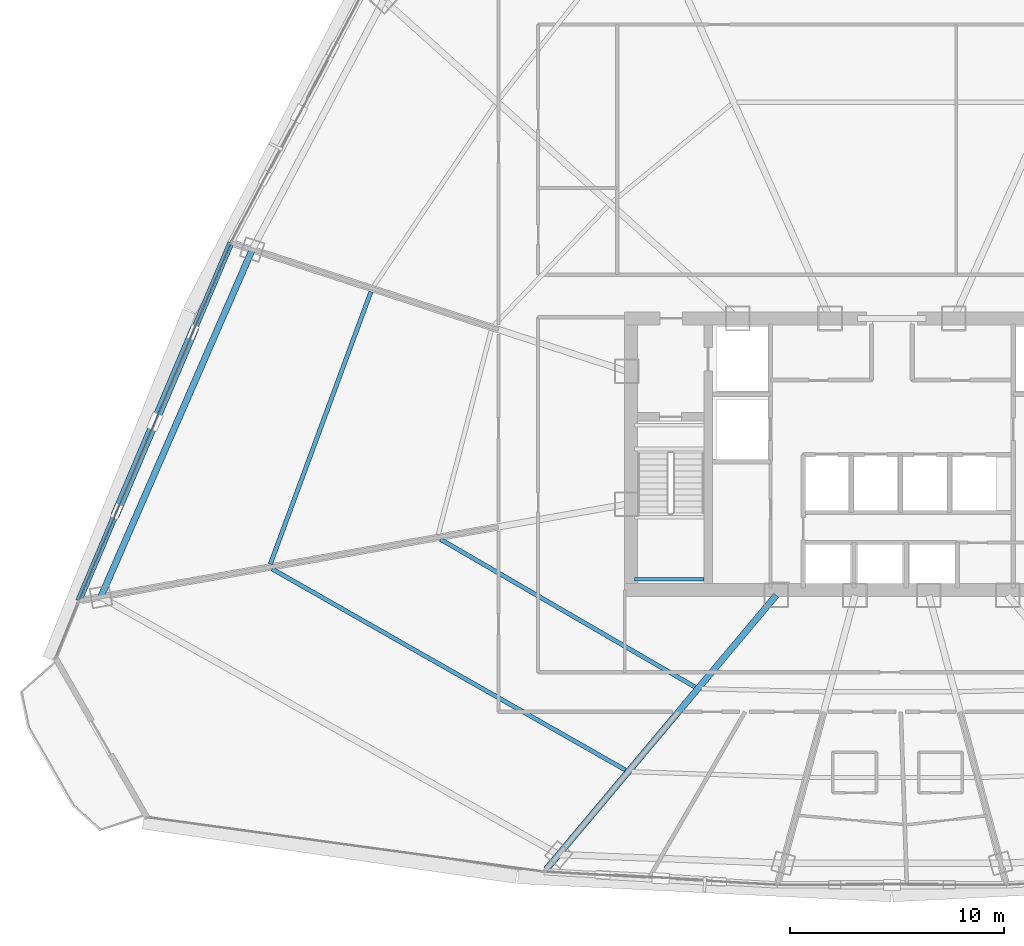
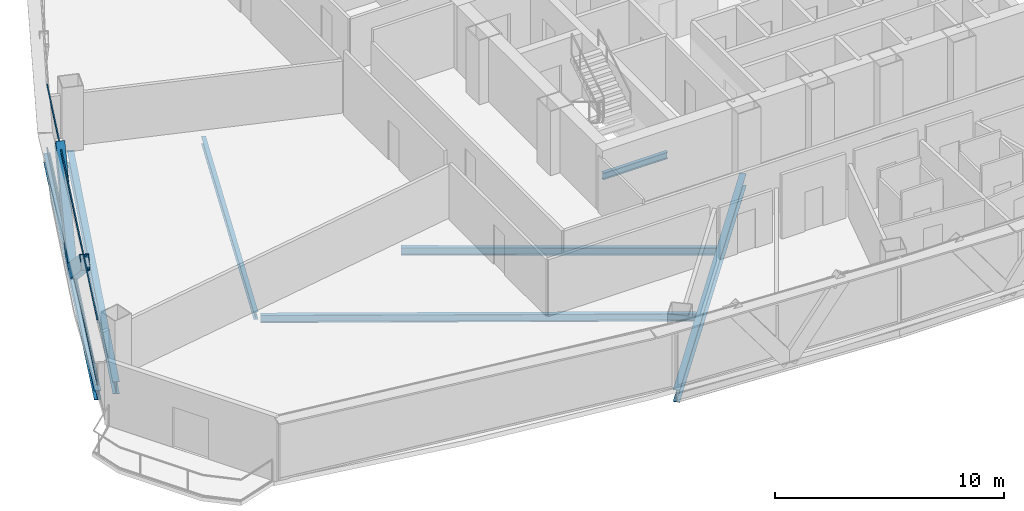
# One storey, part 7 of 39: 7 beams, 4 members, 1 element without a shape of its own.
"""IFC4 building model written with IfcOpenShell, lengths in metres."""

from ifc_helpers import new_model, si_unit, direction, frame, origin, origin_2d, place, context, subcontext, project, spatial, hollow_rectangle, i_section, extrude, source, transform, mapped, material, layer, layer_set, material_profile, profile_set, type_object, element, aggregate, save


model = new_model("IFC4")

# Units and contexts
model_context = context("Model", 3, precision=1e-05, world=origin(), true_north=direction((0.0, 1.0)))
body_context = subcontext(model_context, "Body", "Model", "MODEL_VIEW")
ifc_project = project(units=[si_unit("LENGTHUNIT", "METRE"), si_unit("AREAUNIT", "SQUARE_METRE"), si_unit("VOLUMEUNIT", "CUBIC_METRE"), si_unit("PLANEANGLEUNIT", "RADIAN"), si_unit("MASSUNIT", "GRAM", prefix="KILO"), si_unit("THERMODYNAMICTEMPERATUREUNIT", "KELVIN"), si_unit("POWERUNIT", "WATT")], contexts=[model_context])

# Site, building, storey
site_placement = place(None, origin())
site = spatial("IfcSite", under=ifc_project, at=site_placement, CompositionType="ELEMENT")
building_placement = place(site_placement, origin())
building = spatial("IfcBuilding", under=site, at=building_placement, Name="Yunzhuo Pagoda Commons", CompositionType="ELEMENT")
storey_placement = place(building_placement, frame((0.0, 0.0, 166.6298828125)))
storey = spatial("IfcBuildingStorey", under=building, at=storey_placement, Name="L42", CompositionType="ELEMENT", Elevation=166.6298828125)

# Beams
ifc_material_1 = material(Name="Structural steel Q355B", Category="steel")
ifc_material_profile_1 = material_profile(ifc_material_1, i_section(OverallWidth=0.175048828125, OverallDepth=0.35009765625, WebThickness=0.007080078125, FlangeThickness=0.010986328125, at=origin_2d()), Name="Structural steel Q355B")
ifc_profile_set_1 = profile_set([ifc_material_profile_1], Name="Structural steel Q355B")
beam_type_1 = type_object("IfcBeamType", Name="B-JS2 Joist HN 350x175x7x11", PredefinedType="JOIST", material=ifc_profile_set_1)
shared_shape_1 = source(origin(), body_context, "Body", "SweptSolid", [
    extrude(i_section(OverallWidth=0.175048828125, OverallDepth=0.35009765625, WebThickness=0.007080078125, FlangeThickness=0.010986328125, at=origin_2d()), origin(), (0.0, 0.0, 1.0), 3.25),
])
beam_1_placement = place(storey_placement, frame((35.949951171875, 28.0, 1.465087890625), z_axis=(1.0, 0.0, 0.0), x_axis=(0.0, 1.0, 0.0)))
element("IfcBeam", 1, at=beam_1_placement, inside=storey, type_object=beam_type_1, Name="L42 ST1 landing support beam 48A", PredefinedType="JOIST", context=body_context, shape_type="MappedRepresentation", body=[
    mapped(shared_shape_1, transform((0.0, 0.0, 0.0), scale=1.0)),
])
ifc_material_profile_2 = material_profile(ifc_material_1, i_section(OverallWidth=0.199951171875, OverallDepth=0.39990234375, WebThickness=0.008056640625, FlangeThickness=0.012939453125, at=origin_2d()), Name="Structural steel Q355B")
ifc_profile_set_2 = profile_set([ifc_material_profile_2], Name="Structural steel Q355B")
beam_type_2 = type_object("IfcBeamType", Name="B-JS1 Joist HN 400x200x8x13", PredefinedType="JOIST", material=ifc_profile_set_2)
shared_shape_2 = source(origin(), body_context, "Body", "SweptSolid", [
    extrude(i_section(OverallWidth=0.199951171875, OverallDepth=0.39990234375, WebThickness=0.008056640625, FlangeThickness=0.012939453125, at=origin_2d()), origin(), (0.0, 0.0, 1.0), 13.76416015625),
])
beam_2_placement = place(storey_placement, frame((26.882568359375, 29.87255859375, -0.4599609375), z_axis=(0.864967288101, -0.501828248025, 0.0), x_axis=(0.501828248025, 0.864967288101, 0.0)))
element("IfcBeam", 2, at=beam_2_placement, inside=storey, type_object=beam_type_2, Name="L42 composite ring joist 1.12", PredefinedType="JOIST", context=body_context, shape_type="MappedRepresentation", body=[
    mapped(shared_shape_2, transform((0.0, 0.0, 0.0), scale=1.0)),
])
shared_shape_3 = source(origin(), body_context, "Body", "SweptSolid", [
    extrude(i_section(OverallWidth=0.199951171875, OverallDepth=0.39990234375, WebThickness=0.008056640625, FlangeThickness=0.012939453125, at=origin_2d()), origin(), (0.0, 0.0, 1.0), 19.007568359375),
])
beam_3_placement = place(storey_placement, frame((19.01220703125, 28.485595703125, -0.4599609375), z_axis=(0.869119947472, -0.494601371718, 0.0), x_axis=(0.494601371718, 0.869119947472, 0.0)))
element("IfcBeam", 3, at=beam_3_placement, inside=storey, type_object=beam_type_2, Name="L42 composite ring joist 2.12", PredefinedType="JOIST", context=body_context, shape_type="MappedRepresentation", body=[
    mapped(shared_shape_3, transform((0.0, 0.0, 0.0), scale=1.0)),
])
ifc_material_profile_3 = material_profile(ifc_material_1, i_section(OverallWidth=0.300048828125, OverallDepth=0.64990234375, WebThickness=0.012939453125, FlangeThickness=0.02197265625, at=origin_2d()), Name="Structural steel Q355B")
ifc_profile_set_3 = profile_set([ifc_material_profile_3], Name="Structural steel Q355B")
beam_type_3 = type_object("IfcBeamType", Name="B-RG2 Beam HN 650x300x13x22", PredefinedType="BEAM", material=ifc_profile_set_3)
shared_shape_4 = source(origin(), body_context, "Body", "SweptSolid", [
    extrude(i_section(OverallWidth=0.300048828125, OverallDepth=0.64990234375, WebThickness=0.012939453125, FlangeThickness=0.02197265625, at=origin_2d()), origin(), (0.0, 0.0, 1.0), 17.72021484375),
])
beam_4_placement = place(storey_placement, frame((18.084716796875, 43.420166015625, -0.5849609375), z_axis=(-0.399643307961, -0.916670729544, 0.0), x_axis=(0.916670729544, -0.399643307961, 0.0)))
element("IfcBeam", 4, at=beam_4_placement, inside=storey, type_object=beam_type_3, Name="L42 column-ring beam 11", PredefinedType="BEAM", context=body_context, shape_type="MappedRepresentation", body=[
    mapped(shared_shape_4, transform((0.0, 0.0, 0.0), scale=1.0)),
])
shared_shape_5 = source(origin(), body_context, "Body", "SweptSolid", [
    extrude(i_section(OverallWidth=0.199951171875, OverallDepth=0.39990234375, WebThickness=0.008056640625, FlangeThickness=0.012939453125, at=origin_2d()), origin(), (0.0, 0.0, 1.0), 13.577880859375),
])
beam_5_placement = place(storey_placement, frame((23.634765625, 41.44970703125, -0.4599609375), z_axis=(-0.3465634723, -0.938026523968, 0.0), x_axis=(0.938026523968, -0.3465634723, 0.0)))
element("IfcBeam", 5, at=beam_5_placement, inside=storey, type_object=beam_type_2, Name="L42 composite ring joist 2.11", PredefinedType="JOIST", context=body_context, shape_type="MappedRepresentation", body=[
    mapped(shared_shape_5, transform((0.0, 0.0, 0.0), scale=1.0)),
])
shared_shape_6 = source(origin(), body_context, "Body", "SweptSolid", [
    extrude(i_section(OverallWidth=0.300048828125, OverallDepth=0.64990234375, WebThickness=0.012939453125, FlangeThickness=0.02197265625, at=origin_2d()), origin(), (0.0, 0.0, 1.0), 16.721435546875),
])
beam_6_placement = place(storey_placement, frame((31.839599609375, 14.440673828125, -0.5849609375), z_axis=(0.642787263979, 0.766044733202, 0.0), x_axis=(-0.766044733202, 0.642787263979, 0.0)))
element("IfcBeam", 6, at=beam_6_placement, inside=storey, type_object=beam_type_3, Name="L42 radial floor girder F1C1", PredefinedType="BEAM", context=body_context, shape_type="MappedRepresentation", body=[
    mapped(shared_shape_6, transform((0.0, 0.0, 0.0), scale=1.0)),
])
ifc_material_profile_4 = material_profile(ifc_material_1, i_section(OverallWidth=0.300048828125, OverallDepth=0.488037109375, WebThickness=0.010986328125, FlangeThickness=0.01806640625, at=origin_2d()), Name="Structural steel Q355B")
ifc_profile_set_4 = profile_set([ifc_material_profile_4], Name="Structural steel Q355B")
beam_type_4 = type_object("IfcBeamType", Name="B-SP1 Beam HM 488x300x11x18", PredefinedType="BEAM", material=ifc_profile_set_4)
shared_shape_7 = source(origin(), body_context, "Body", "SweptSolid", [
    extrude(i_section(OverallWidth=0.300048828125, OverallDepth=0.488037109375, WebThickness=0.010986328125, FlangeThickness=0.01806640625, at=origin_2d()), origin(), (0.0, 0.0, 1.0), 18.199951171875),
])
beam_7_placement = place(storey_placement, frame((17.086181640625, 43.74462890625, -0.50390625), z_axis=(-0.391069626014, -0.920361096314, 0.0), x_axis=(0.920361096314, -0.391069626014, 0.0)))
element("IfcBeam", 7, at=beam_7_placement, inside=storey, type_object=beam_type_4, Name="L42 facade edge spandrel beam F3.3", PredefinedType="BEAM", context=body_context, shape_type="MappedRepresentation", body=[
    mapped(shared_shape_7, transform((0.0, 0.0, 0.0), scale=1.0)),
])

# Members
ifc_material_profile_5 = material_profile(ifc_material_1, hollow_rectangle(XDim=0.39990234375, YDim=0.719970703125, WallThickness=0.02392578125, at=origin_2d()), Name="Structural steel Q355B")
ifc_profile_set_5 = profile_set([ifc_material_profile_5], Name="Structural steel Q355B")
member_type_1 = type_object("IfcMemberType", Name="M-DL2 Brace BOX 720x400x24", PredefinedType="BRACE", material=ifc_profile_set_5)
shared_shape_8 = source(origin(), body_context, "Body", "SweptSolid", [
    extrude(hollow_rectangle(XDim=0.39990234375, YDim=0.719970703125, WallThickness=0.02392578125, at=origin_2d()), origin(), (0.0, 0.0, 1.0), 5.851806640625),
])
for number, where, z_axis, x_axis, name in (
    (8, (13.52734375, 35.369384765625, -0.259765625), (0.304100338503, 0.715589107697, 0.628852298293), (-0.920342507507, 0.391113370873, 0.0), "L42 facade diamond brace F3.3L"),
    (9, (13.52734375, 35.369384765625, -0.259765625), (-0.304053397736, -0.715618541626, 0.628841501657), (0.920370027148, -0.391048607116, 0.0), "L42 facade diamond brace F3.3R"),
):
    element("IfcMember", number, at=place(storey_placement, frame(where, z_axis=z_axis, x_axis=x_axis)), inside=storey, type_object=member_type_1, Name=name, PredefinedType="BRACE", context=body_context, shape_type="MappedRepresentation", body=[
        mapped(shared_shape_8, transform((0.0, 0.0, 0.0), scale=1.0)),
    ])

# Curtain wall, members
ifc_material_2 = material(Name="Anodized aluminium 6063-T6", Category="aluminium")
ifc_layer = layer(ifc_material_2, 0.14990234375)
ifc_layer_set = layer_set([ifc_layer], Name="Anodized aluminium 6063-T6")
curtain_wall_type = type_object("IfcCurtainWallType", Name="CW-MID Mid-Zone Ribbon Curtain Wall", PredefinedType="NOTDEFINED", material=ifc_layer_set)
curtain_wall_placement = place(storey_placement, origin())
curtain_wall = element("IfcCurtainWall", 10, at=curtain_wall_placement, inside=storey, type_object=curtain_wall_type, Name="L42 curtain wall CW-L42-F3B4", PredefinedType="NOTDEFINED")
ifc_material_profile_6 = material_profile(ifc_material_2, hollow_rectangle(XDim=0.054931640625, YDim=0.1298828125, WallThickness=0.00341796875, at=origin_2d()), Name="Anodized aluminium 6063-T6")
ifc_profile_set_6 = profile_set([ifc_material_profile_6], Name="Anodized aluminium 6063-T6")
member_type_2 = type_object("IfcMemberType", Name="CW-MID-T Transom RHS 130x55x3.5", PredefinedType="USERDEFINED", material=ifc_profile_set_6)
shared_shape_9 = source(origin(), body_context, "Body", "SweptSolid", [
    extrude(hollow_rectangle(XDim=0.054931640625, YDim=0.1298828125, WallThickness=0.00341796875, at=origin_2d()), origin(), (0.0, 0.0, 1.0), 18.079833984375),
])
member_1_placement = place(storey_placement, frame((17.062744140625, 43.689453125, 0.027587890625), z_axis=(-0.391058860583, -0.920365670568, 0.0), x_axis=(0.920365670568, -0.391058860583, 0.0)))
member_1 = element("IfcMember", 11, at=member_1_placement, type_object=member_type_2, Name="CW transom 1.1", ObjectType="TRANSOM", PredefinedType="USERDEFINED", context=body_context, shape_type="MappedRepresentation", body=[
    mapped(shared_shape_9, transform((0.0, 0.0, 0.0), scale=1.0)),
])
member_2_placement = place(storey_placement, frame((17.062744140625, 43.689453125, 3.392578125), z_axis=(-0.391058860583, -0.920365670568, 0.0), x_axis=(0.920365670568, -0.391058860583, 0.0)))
member_2 = element("IfcMember", 12, at=member_2_placement, type_object=member_type_2, Name="CW transom 1.2", ObjectType="TRANSOM", PredefinedType="USERDEFINED", context=body_context, shape_type="MappedRepresentation", body=[
    mapped(shared_shape_9, transform((0.0, 0.0, 0.0), scale=1.0)),
])
aggregate(curtain_wall, [member_1, member_2])

save(model, "model.ifc")
